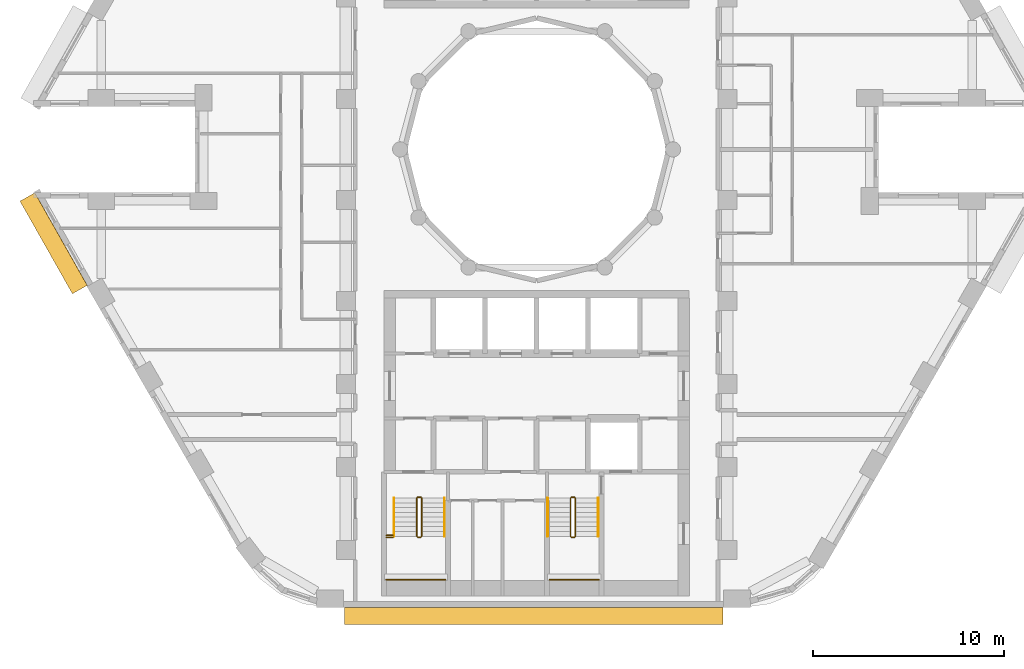
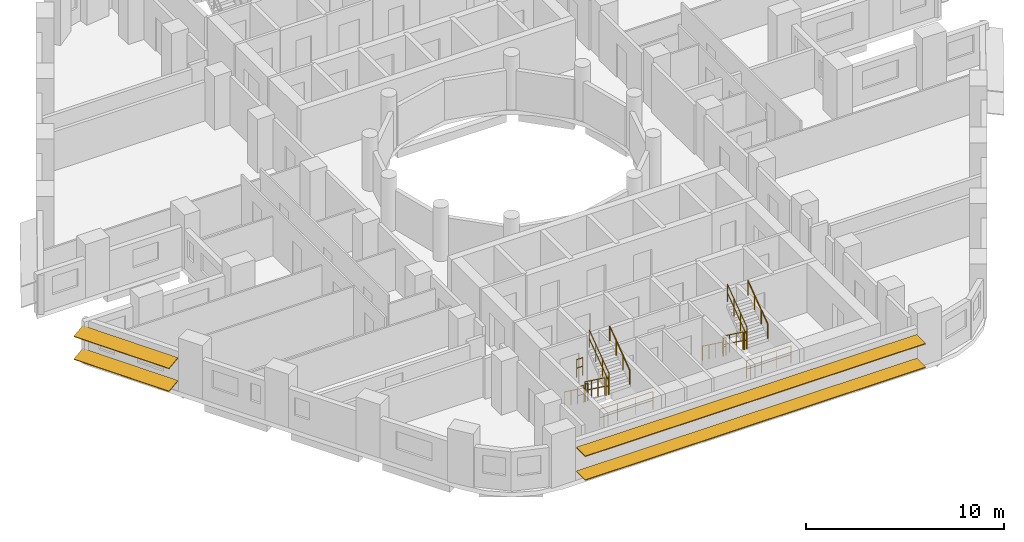
# One storey, part 10 of 12: 16 railings, 4 shading devices.
"""IFC4 building model written with IfcOpenShell, lengths in metres."""

from ifc_helpers import new_model, si_unit, direction, frame, origin, origin_2d, place, context, subcontext, project, spatial, rectangle, circle, extrude, material, material_profile, profile_set, type_object, element, save


model = new_model("IFC4")

# Units and contexts
model_context = context("Model", 3, precision=1e-05, world=origin(), true_north=direction((0.0, 1.0)))
body_context = subcontext(model_context, "Body", "Model", "MODEL_VIEW")
ifc_project = project(units=[si_unit("LENGTHUNIT", "METRE"), si_unit("AREAUNIT", "SQUARE_METRE"), si_unit("VOLUMEUNIT", "CUBIC_METRE"), si_unit("PLANEANGLEUNIT", "RADIAN"), si_unit("MASSUNIT", "GRAM", prefix="KILO")], contexts=[model_context])

# Site, building, storey
site_placement = place(None, origin())
site = spatial("IfcSite", under=ifc_project, at=site_placement, CompositionType="ELEMENT")
building_placement = place(site_placement, origin())
building = spatial("IfcBuilding", under=site, at=building_placement, Name="Nakaniwa Court", CompositionType="ELEMENT")
storey_placement = place(building_placement, frame((0.0, 0.0, 90.89990234375)))
storey = spatial("IfcBuildingStorey", under=building, at=storey_placement, Name="L23", CompositionType="ELEMENT", Elevation=90.89990234375)

# Shading devices
ifc_material_1 = material(Name="Perforated charcoal ceramic louvre blade")
ifc_material_profile = material_profile(ifc_material_1, rectangle(XDim=0.89990234375, YDim=0.050048828125, at=origin_2d()), Name="Perforated ceramic louvre blade")
ifc_profile_set = profile_set([ifc_material_profile], Name="Perforated charcoal ceramic louvre blade")
shading_device_type = type_object("IfcShadingDeviceType", Name="Perforated ceramic louvre blade", PredefinedType="JALOUSIE", material=ifc_profile_set)
for number, where, z_axis, x_axis, name in (
    (1, (53.31689453125, 77.508056640625, 0.550048828125), (0.492438058427, -0.870347493024, 0.0), (0.862701960504, 0.488112256124, 0.132256390257), "L23 perforated ceramic louvre blade w20 1"),
    (2, (53.31689453125, 77.508056640625, 1.955810546875), (0.492438058427, -0.870347493024, 0.0), (0.862701960504, 0.488112256124, 0.132256390257), "L23 perforated ceramic louvre blade w20 2"),
):
    element("IfcShadingDevice", number, at=place(storey_placement, frame(where, z_axis=z_axis, x_axis=x_axis)), inside=storey, type_object=shading_device_type, Name=name, PredefinedType="JALOUSIE", context=body_context, shape_type="SweptSolid", body=[
        extrude(rectangle(XDim=0.89990234375, YDim=0.050048828125, at=origin_2d()), origin(), (0.0, 0.0, 1.0), 5.576416015625),
    ])
for number, where, z_axis, x_axis, name in (
    (3, (69.92138671875, 55.550048828125, 0.550048828125), (1.0, 0.0, 0.0), (0.0, 1.0, 0.0), "L23 perforated ceramic louvre blade w26 1"),
    (4, (69.92138671875, 55.550048828125, 2.01513671875), (1.0, 0.0, 0.0), (0.0, 1.0, 0.0), "L23 perforated ceramic louvre blade w26 2"),
):
    element("IfcShadingDevice", number, at=place(storey_placement, frame(where, z_axis=z_axis, x_axis=x_axis)), inside=storey, type_object=shading_device_type, Name=name, PredefinedType="JALOUSIE", context=body_context, shape_type="SweptSolid", body=[
        extrude(rectangle(XDim=0.89990234375, YDim=0.050048828125, at=origin_2d()), origin(), (0.0, 0.0, 1.0), 19.839599609375),
    ])

# Railings
ifc_material_2 = material(Name="Black powder coated steel guard", Category="steel")
railing_type_1 = type_object("IfcRailingType", Name="Stair guard 1100", PredefinedType="GUARDRAIL", material=ifc_material_2)
railing_1_placement = place(storey_placement, frame((73.72509765625, 61.72509765625, 0.183349609375)))
element("IfcRailing", 5, at=railing_1_placement, inside=storey, type_object=railing_type_1, Name="L23 ST3 stair guard 1", PredefinedType="GUARDRAIL", context=body_context, shape_type="SweptSolid", body=[
    extrude(circle(Radius=0.02392578125, at=origin_2d()), frame((0.0, 0.0, 1.076171875), z_axis=(0.0, -0.806379959628, 0.591397802423), x_axis=(1.0, 0.0, 0.0)), (0.0, 0.0, 1.0), 2.480224609375),
    extrude(circle(Radius=0.02392578125, at=origin_2d()), frame((0.0, 0.0, 0.550048828125), z_axis=(0.0, -0.806379959628, 0.591397802423), x_axis=(1.0, 0.0, 0.0)), (0.0, 0.0, 1.0), 2.480224609375),
    extrude(circle(Radius=0.02099609375, at=origin_2d()), origin(), (0.0, 0.0, 1.0), 1.052001953125),
    extrude(circle(Radius=0.02099609375, at=origin_2d()), frame((0.0, -0.666748046875, 0.489013671875)), (0.0, 0.0, 1.0), 1.052001953125),
    extrude(circle(Radius=0.02099609375, at=origin_2d()), frame((0.0, -1.333251953125, 0.977783203125)), (0.0, 0.0, 1.0), 1.052001953125),
    extrude(circle(Radius=0.02099609375, at=origin_2d()), frame((0.0, -2.0, 1.466796875)), (0.0, 0.0, 1.0), 1.052001953125),
])
railing_2_placement = place(storey_placement, frame((73.77490234375, 59.675048828125, 1.650146484375)))
element("IfcRailing", 6, at=railing_2_placement, inside=storey, type_object=railing_type_1, Name="L23 ST3 stair guard 2", PredefinedType="GUARDRAIL", context=body_context, shape_type="SweptSolid", body=[
    extrude(circle(Radius=0.02392578125, at=origin_2d()), frame((0.0, 0.0, 1.076171875), z_axis=(1.0, 0.0, 0.0), x_axis=(0.0, 1.0, 0.0)), (0.0, 0.0, 1.0), 0.150146484375),
    extrude(circle(Radius=0.02392578125, at=origin_2d()), frame((0.0, 0.0, 0.550048828125), z_axis=(1.0, 0.0, 0.0), x_axis=(0.0, 1.0, 0.0)), (0.0, 0.0, 1.0), 0.150146484375),
    extrude(circle(Radius=0.02099609375, at=origin_2d()), origin(), (0.0, 0.0, 1.0), 1.052001953125),
    extrude(circle(Radius=0.02099609375, at=origin_2d()), frame((0.150146484375, 0.0, 0.0)), (0.0, 0.0, 1.0), 1.052001953125),
])
railing_3_placement = place(storey_placement, frame((73.97509765625, 59.72509765625, 1.83349609375)))
element("IfcRailing", 7, at=railing_3_placement, inside=storey, type_object=railing_type_1, Name="L23 ST3 stair guard 3", PredefinedType="GUARDRAIL", context=body_context, shape_type="SweptSolid", body=[
    extrude(circle(Radius=0.02392578125, at=origin_2d()), frame((0.0, 0.0, 1.076171875), z_axis=(0.0, 0.806426902644, 0.591333789573), x_axis=(-1.0, 0.0, 0.0)), (0.0, 0.0, 1.0), 2.47998046875),
    extrude(circle(Radius=0.02392578125, at=origin_2d()), frame((0.0, 0.0, 0.550048828125), z_axis=(0.0, 0.806426902644, 0.591333789573), x_axis=(-1.0, 0.0, 0.0)), (0.0, 0.0, 1.0), 2.47998046875),
    extrude(circle(Radius=0.02099609375, at=origin_2d()), origin(), (0.0, 0.0, 1.0), 1.052001953125),
    extrude(circle(Radius=0.02099609375, at=origin_2d()), frame((0.0, 0.666748046875, 0.48876953125)), (0.0, 0.0, 1.0), 1.052001953125),
    extrude(circle(Radius=0.02099609375, at=origin_2d()), frame((0.0, 1.333251953125, 0.977783203125)), (0.0, 0.0, 1.0), 1.052001953125),
    extrude(circle(Radius=0.02099609375, at=origin_2d()), frame((0.0, 2.0, 1.466552734375)), (0.0, 0.0, 1.0), 1.052001953125),
])
railing_4_placement = place(storey_placement, frame((73.77490234375, 61.77490234375, 0.0)))
element("IfcRailing", 8, at=railing_4_placement, inside=storey, type_object=railing_type_1, Name="L23 ST3 stair guard 4", PredefinedType="GUARDRAIL", context=body_context, shape_type="SweptSolid", body=[
    extrude(circle(Radius=0.02392578125, at=origin_2d()), frame((0.0, 0.0, 1.076171875), z_axis=(1.0, 0.0, 0.0), x_axis=(0.0, 1.0, 0.0)), (0.0, 0.0, 1.0), 0.150146484375),
    extrude(circle(Radius=0.02392578125, at=origin_2d()), frame((0.0, 0.0, 0.550048828125), z_axis=(1.0, 0.0, 0.0), x_axis=(0.0, 1.0, 0.0)), (0.0, 0.0, 1.0), 0.150146484375),
    extrude(circle(Radius=0.02099609375, at=origin_2d()), origin(), (0.0, 0.0, 1.0), 1.052001953125),
    extrude(circle(Radius=0.02099609375, at=origin_2d()), frame((0.150146484375, 0.0, 0.0)), (0.0, 0.0, 1.0), 1.052001953125),
])
railing_5_placement = place(storey_placement, frame((72.125, 57.449951171875, 1.650146484375)))
element("IfcRailing", 9, at=railing_5_placement, inside=storey, type_object=railing_type_1, Name="L23 ST3 landing end guard 1", PredefinedType="GUARDRAIL", context=body_context, shape_type="SweptSolid", body=[
    extrude(circle(Radius=0.02392578125, at=origin_2d()), frame((0.0, 0.0, 1.076171875), z_axis=(1.0, 0.0, 0.0), x_axis=(0.0, 1.0, 0.0)), (0.0, 0.0, 1.0), 3.10009765625),
    extrude(circle(Radius=0.02392578125, at=origin_2d()), frame((0.0, 0.0, 0.550048828125), z_axis=(1.0, 0.0, 0.0), x_axis=(0.0, 1.0, 0.0)), (0.0, 0.0, 1.0), 3.10009765625),
    extrude(circle(Radius=0.02099609375, at=origin_2d()), origin(), (0.0, 0.0, 1.0), 1.052001953125),
    extrude(circle(Radius=0.02099609375, at=origin_2d()), frame((1.033447265625, 0.0, 0.0)), (0.0, 0.0, 1.0), 1.052001953125),
    extrude(circle(Radius=0.02099609375, at=origin_2d()), frame((2.066650390625, 0.0, 0.0)), (0.0, 0.0, 1.0), 1.052001953125),
    extrude(circle(Radius=0.02099609375, at=origin_2d()), frame((3.10009765625, 0.0, 0.0)), (0.0, 0.0, 1.0), 1.052001953125),
])
for number, where, name in (
    (10, (72.125, 59.675048828125, 1.650146484375), "L23 ST3 landing side guard 1W"),
    (11, (72.125, 59.77490234375, 3.300048828125), "L23 ST3 floor edge guard 1W"),
):
    element("IfcRailing", number, at=place(storey_placement, frame(where)), inside=storey, type_object=railing_type_1, Name=name, PredefinedType="GUARDRAIL", context=body_context, shape_type="SweptSolid", body=[
        extrude(circle(Radius=0.02392578125, at=origin_2d()), frame((0.0, 0.0, 1.076171875), z_axis=(1.0, 0.0, 0.0), x_axis=(0.0, 1.0, 0.0)), (0.0, 0.0, 1.0), 0.35009765625),
        extrude(circle(Radius=0.02392578125, at=origin_2d()), frame((0.0, 0.0, 0.550048828125), z_axis=(1.0, 0.0, 0.0), x_axis=(0.0, 1.0, 0.0)), (0.0, 0.0, 1.0), 0.35009765625),
        extrude(circle(Radius=0.02099609375, at=origin_2d()), origin(), (0.0, 0.0, 1.0), 1.052001953125),
        extrude(circle(Radius=0.02099609375, at=origin_2d()), frame((0.35009765625, 0.0, 0.0)), (0.0, 0.0, 1.0), 1.052001953125),
    ])
railing_6_placement = place(storey_placement, frame((81.77490234375, 61.72509765625, 0.183349609375)))
element("IfcRailing", 12, at=railing_6_placement, inside=storey, type_object=railing_type_1, Name="L23 ST4 stair guard 1", PredefinedType="GUARDRAIL", context=body_context, shape_type="SweptSolid", body=[
    extrude(circle(Radius=0.02392578125, at=origin_2d()), frame((0.0, 0.0, 1.076171875), z_axis=(0.0, -0.806379959628, 0.591397802423), x_axis=(1.0, 0.0, 0.0)), (0.0, 0.0, 1.0), 2.480224609375),
    extrude(circle(Radius=0.02392578125, at=origin_2d()), frame((0.0, 0.0, 0.550048828125), z_axis=(0.0, -0.806379959628, 0.591397802423), x_axis=(1.0, 0.0, 0.0)), (0.0, 0.0, 1.0), 2.480224609375),
    extrude(circle(Radius=0.02099609375, at=origin_2d()), origin(), (0.0, 0.0, 1.0), 1.052001953125),
    extrude(circle(Radius=0.02099609375, at=origin_2d()), frame((0.0, -0.666748046875, 0.489013671875)), (0.0, 0.0, 1.0), 1.052001953125),
    extrude(circle(Radius=0.02099609375, at=origin_2d()), frame((0.0, -1.333251953125, 0.977783203125)), (0.0, 0.0, 1.0), 1.052001953125),
    extrude(circle(Radius=0.02099609375, at=origin_2d()), frame((0.0, -2.0, 1.466796875)), (0.0, 0.0, 1.0), 1.052001953125),
])
railing_7_placement = place(storey_placement, frame((81.824951171875, 59.675048828125, 1.650146484375)))
element("IfcRailing", 13, at=railing_7_placement, inside=storey, type_object=railing_type_1, Name="L23 ST4 stair guard 2", PredefinedType="GUARDRAIL", context=body_context, shape_type="SweptSolid", body=[
    extrude(circle(Radius=0.02392578125, at=origin_2d()), frame((0.0, 0.0, 1.076171875), z_axis=(1.0, 0.0, 0.0), x_axis=(0.0, 1.0, 0.0)), (0.0, 0.0, 1.0), 0.150146484375),
    extrude(circle(Radius=0.02392578125, at=origin_2d()), frame((0.0, 0.0, 0.550048828125), z_axis=(1.0, 0.0, 0.0), x_axis=(0.0, 1.0, 0.0)), (0.0, 0.0, 1.0), 0.150146484375),
    extrude(circle(Radius=0.02099609375, at=origin_2d()), origin(), (0.0, 0.0, 1.0), 1.052001953125),
    extrude(circle(Radius=0.02099609375, at=origin_2d()), frame((0.150146484375, 0.0, 0.0)), (0.0, 0.0, 1.0), 1.052001953125),
])
railing_8_placement = place(storey_placement, frame((82.02490234375, 59.72509765625, 1.83349609375)))
element("IfcRailing", 14, at=railing_8_placement, inside=storey, type_object=railing_type_1, Name="L23 ST4 stair guard 3", PredefinedType="GUARDRAIL", context=body_context, shape_type="SweptSolid", body=[
    extrude(circle(Radius=0.02392578125, at=origin_2d()), frame((0.0, 0.0, 1.076171875), z_axis=(0.0, 0.806426902644, 0.591333789573), x_axis=(-1.0, 0.0, 0.0)), (0.0, 0.0, 1.0), 2.47998046875),
    extrude(circle(Radius=0.02392578125, at=origin_2d()), frame((0.0, 0.0, 0.550048828125), z_axis=(0.0, 0.806426902644, 0.591333789573), x_axis=(-1.0, 0.0, 0.0)), (0.0, 0.0, 1.0), 2.47998046875),
    extrude(circle(Radius=0.02099609375, at=origin_2d()), origin(), (0.0, 0.0, 1.0), 1.052001953125),
    extrude(circle(Radius=0.02099609375, at=origin_2d()), frame((0.0, 0.666748046875, 0.48876953125)), (0.0, 0.0, 1.0), 1.052001953125),
    extrude(circle(Radius=0.02099609375, at=origin_2d()), frame((0.0, 1.333251953125, 0.977783203125)), (0.0, 0.0, 1.0), 1.052001953125),
    extrude(circle(Radius=0.02099609375, at=origin_2d()), frame((0.0, 2.0, 1.466552734375)), (0.0, 0.0, 1.0), 1.052001953125),
])
railing_9_placement = place(storey_placement, frame((81.824951171875, 61.77490234375, 0.0)))
element("IfcRailing", 15, at=railing_9_placement, inside=storey, type_object=railing_type_1, Name="L23 ST4 stair guard 4", PredefinedType="GUARDRAIL", context=body_context, shape_type="SweptSolid", body=[
    extrude(circle(Radius=0.02392578125, at=origin_2d()), frame((0.0, 0.0, 1.076171875), z_axis=(1.0, 0.0, 0.0), x_axis=(0.0, 1.0, 0.0)), (0.0, 0.0, 1.0), 0.150146484375),
    extrude(circle(Radius=0.02392578125, at=origin_2d()), frame((0.0, 0.0, 0.550048828125), z_axis=(1.0, 0.0, 0.0), x_axis=(0.0, 1.0, 0.0)), (0.0, 0.0, 1.0), 0.150146484375),
    extrude(circle(Radius=0.02099609375, at=origin_2d()), origin(), (0.0, 0.0, 1.0), 1.052001953125),
    extrude(circle(Radius=0.02099609375, at=origin_2d()), frame((0.150146484375, 0.0, 0.0)), (0.0, 0.0, 1.0), 1.052001953125),
])
railing_10_placement = place(storey_placement, frame((80.675048828125, 57.449951171875, 1.650146484375)))
element("IfcRailing", 16, at=railing_10_placement, inside=storey, type_object=railing_type_1, Name="L23 ST4 landing end guard 1", PredefinedType="GUARDRAIL", context=body_context, shape_type="SweptSolid", body=[
    extrude(circle(Radius=0.02392578125, at=origin_2d()), frame((0.0, 0.0, 1.076171875), z_axis=(1.0, 0.0, 0.0), x_axis=(0.0, 1.0, 0.0)), (0.0, 0.0, 1.0), 2.599853515625),
    extrude(circle(Radius=0.02392578125, at=origin_2d()), frame((0.0, 0.0, 0.550048828125), z_axis=(1.0, 0.0, 0.0), x_axis=(0.0, 1.0, 0.0)), (0.0, 0.0, 1.0), 2.599853515625),
    extrude(circle(Radius=0.02099609375, at=origin_2d()), origin(), (0.0, 0.0, 1.0), 1.052001953125),
    extrude(circle(Radius=0.02099609375, at=origin_2d()), frame((0.86669921875, 0.0, 0.0)), (0.0, 0.0, 1.0), 1.052001953125),
    extrude(circle(Radius=0.02099609375, at=origin_2d()), frame((1.733154296875, 0.0, 0.0)), (0.0, 0.0, 1.0), 1.052001953125),
    extrude(circle(Radius=0.02099609375, at=origin_2d()), frame((2.599853515625, 0.0, 0.0)), (0.0, 0.0, 1.0), 1.052001953125),
])
ifc_material_3 = material(Name="Black powder coated steel handrail", Category="steel")
railing_type_2 = type_object("IfcRailingType", Name="Stair handrail 900", PredefinedType="HANDRAIL", material=ifc_material_3)
railing_11_placement = place(storey_placement, frame((72.52490234375, 61.72509765625, 0.183349609375)))
element("IfcRailing", 17, at=railing_11_placement, inside=storey, type_object=railing_type_2, Name="L23 ST3 stair handrail 1", PredefinedType="HANDRAIL", context=body_context, shape_type="SweptSolid", body=[
    extrude(circle(Radius=0.02392578125, at=origin_2d()), frame((0.0, 0.0, 0.8759765625), z_axis=(0.0, -0.806379959628, 0.591397802423), x_axis=(1.0, 0.0, 0.0)), (0.0, 0.0, 1.0), 2.480224609375),
    extrude(circle(Radius=0.02099609375, at=origin_2d()), origin(), (0.0, 0.0, 1.0), 0.851806640625),
    extrude(circle(Radius=0.02099609375, at=origin_2d()), frame((0.0, -0.666748046875, 0.489013671875)), (0.0, 0.0, 1.0), 0.851806640625),
    extrude(circle(Radius=0.02099609375, at=origin_2d()), frame((0.0, -1.333251953125, 0.977783203125)), (0.0, 0.0, 1.0), 0.851806640625),
    extrude(circle(Radius=0.02099609375, at=origin_2d()), frame((0.0, -2.0, 1.466796875)), (0.0, 0.0, 1.0), 0.851806640625),
])
railing_12_placement = place(storey_placement, frame((75.175048828125, 59.72509765625, 1.83349609375)))
element("IfcRailing", 18, at=railing_12_placement, inside=storey, type_object=railing_type_2, Name="L23 ST3 stair handrail 2", PredefinedType="HANDRAIL", context=body_context, shape_type="SweptSolid", body=[
    extrude(circle(Radius=0.02392578125, at=origin_2d()), frame((0.0, 0.0, 0.8759765625), z_axis=(0.0, 0.806426902644, 0.591333789573), x_axis=(-1.0, 0.0, 0.0)), (0.0, 0.0, 1.0), 2.47998046875),
    extrude(circle(Radius=0.02099609375, at=origin_2d()), origin(), (0.0, 0.0, 1.0), 0.851806640625),
    extrude(circle(Radius=0.02099609375, at=origin_2d()), frame((0.0, 0.666748046875, 0.48876953125)), (0.0, 0.0, 1.0), 0.851806640625),
    extrude(circle(Radius=0.02099609375, at=origin_2d()), frame((0.0, 1.333251953125, 0.977783203125)), (0.0, 0.0, 1.0), 0.851806640625),
    extrude(circle(Radius=0.02099609375, at=origin_2d()), frame((0.0, 2.0, 1.466552734375)), (0.0, 0.0, 1.0), 0.851806640625),
])
railing_13_placement = place(storey_placement, frame((80.574951171875, 61.72509765625, 0.183349609375)))
element("IfcRailing", 19, at=railing_13_placement, inside=storey, type_object=railing_type_2, Name="L23 ST4 stair handrail 1", PredefinedType="HANDRAIL", context=body_context, shape_type="SweptSolid", body=[
    extrude(circle(Radius=0.02392578125, at=origin_2d()), frame((0.0, 0.0, 0.8759765625), z_axis=(0.0, -0.806379959628, 0.591397802423), x_axis=(1.0, 0.0, 0.0)), (0.0, 0.0, 1.0), 2.480224609375),
    extrude(circle(Radius=0.02099609375, at=origin_2d()), origin(), (0.0, 0.0, 1.0), 0.851806640625),
    extrude(circle(Radius=0.02099609375, at=origin_2d()), frame((0.0, -0.666748046875, 0.489013671875)), (0.0, 0.0, 1.0), 0.851806640625),
    extrude(circle(Radius=0.02099609375, at=origin_2d()), frame((0.0, -1.333251953125, 0.977783203125)), (0.0, 0.0, 1.0), 0.851806640625),
    extrude(circle(Radius=0.02099609375, at=origin_2d()), frame((0.0, -2.0, 1.466796875)), (0.0, 0.0, 1.0), 0.851806640625),
])
railing_14_placement = place(storey_placement, frame((83.22509765625, 59.72509765625, 1.83349609375)))
element("IfcRailing", 20, at=railing_14_placement, inside=storey, type_object=railing_type_2, Name="L23 ST4 stair handrail 2", PredefinedType="HANDRAIL", context=body_context, shape_type="SweptSolid", body=[
    extrude(circle(Radius=0.02392578125, at=origin_2d()), frame((0.0, 0.0, 0.8759765625), z_axis=(0.0, 0.806426902644, 0.591333789573), x_axis=(-1.0, 0.0, 0.0)), (0.0, 0.0, 1.0), 2.47998046875),
    extrude(circle(Radius=0.02099609375, at=origin_2d()), origin(), (0.0, 0.0, 1.0), 0.851806640625),
    extrude(circle(Radius=0.02099609375, at=origin_2d()), frame((0.0, 0.666748046875, 0.48876953125)), (0.0, 0.0, 1.0), 0.851806640625),
    extrude(circle(Radius=0.02099609375, at=origin_2d()), frame((0.0, 1.333251953125, 0.977783203125)), (0.0, 0.0, 1.0), 0.851806640625),
    extrude(circle(Radius=0.02099609375, at=origin_2d()), frame((0.0, 2.0, 1.466552734375)), (0.0, 0.0, 1.0), 0.851806640625),
])

save(model, "model.ifc")
